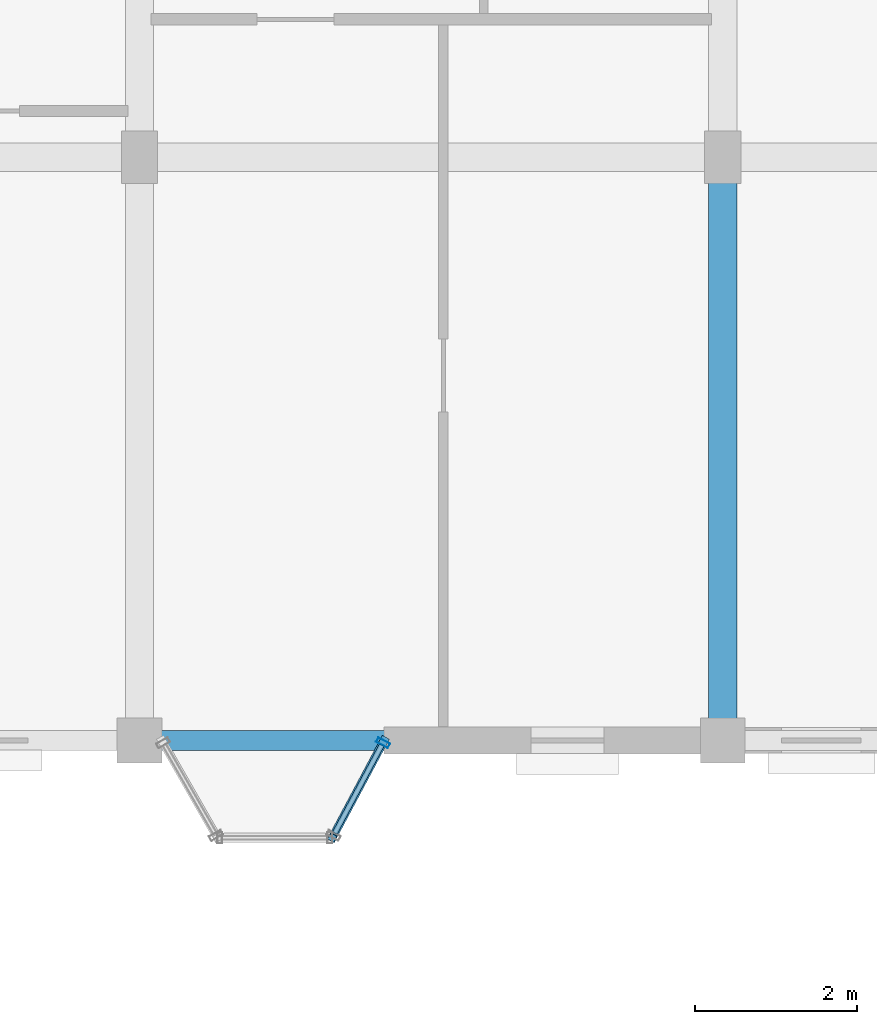
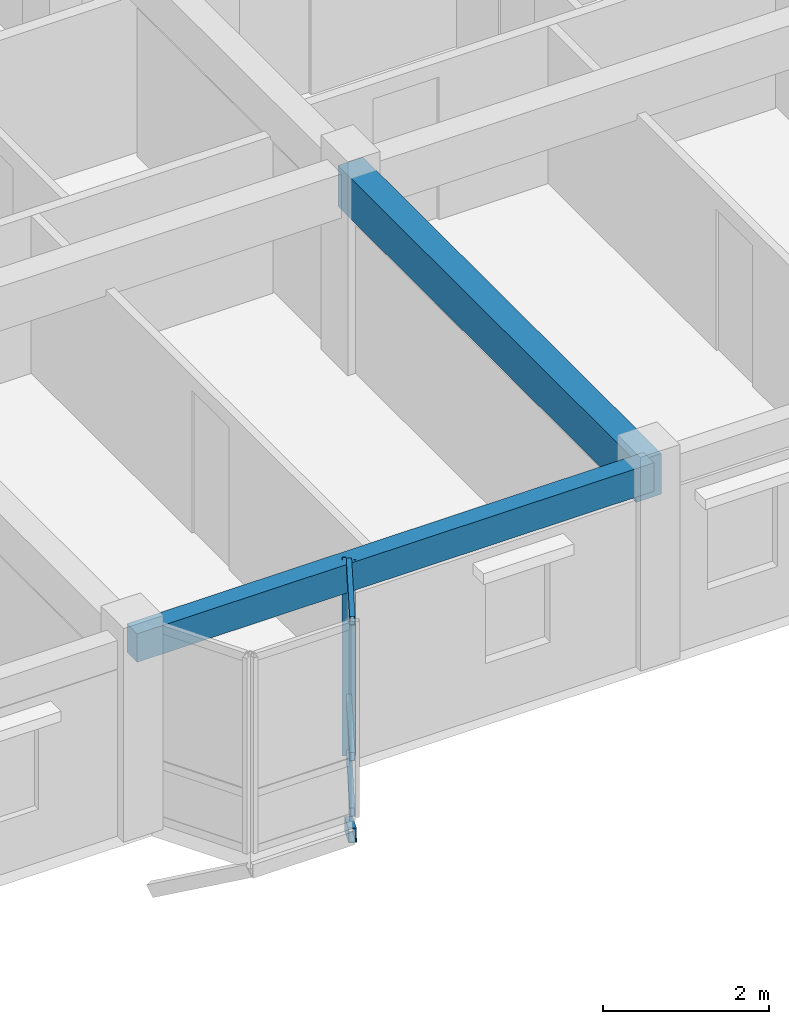
# One storey, part 39 of 79: 5 members, 2 beams, 1 element without a shape of its own.
"""IFC4 building model written with IfcOpenShell, lengths in metres."""

from ifc_helpers import new_model, si_unit, direction, frame, origin, origin_2d, place, context, subcontext, project, spatial, rectangle, hollow_rectangle, extrude, material, layer, layer_set, material_profile, profile_set, type_object, element, aggregate, save


model = new_model("IFC4")

# Units and contexts
model_context = context("Model", 3, precision=1e-05, world=origin(), true_north=direction((0.0, 1.0)))
body_context = subcontext(model_context, "Body", "Model", "MODEL_VIEW")
ifc_project = project(units=[si_unit("LENGTHUNIT", "METRE"), si_unit("AREAUNIT", "SQUARE_METRE"), si_unit("VOLUMEUNIT", "CUBIC_METRE"), si_unit("PLANEANGLEUNIT", "RADIAN"), si_unit("MASSUNIT", "GRAM", prefix="KILO"), si_unit("THERMODYNAMICTEMPERATUREUNIT", "KELVIN"), si_unit("POWERUNIT", "WATT")], contexts=[model_context])

# Site, building, storey
site_placement = place(None, origin())
site = spatial("IfcSite", under=ifc_project, at=site_placement, CompositionType="ELEMENT")
building_placement = place(site_placement, origin())
building = spatial("IfcBuilding", under=site, at=building_placement, Name="Tavuni Mirador Residences", CompositionType="ELEMENT")
storey_placement = place(building_placement, frame((0.0, 0.0, 13.949951171875)))
storey = spatial("IfcBuildingStorey", under=building, at=storey_placement, Name="L04", CompositionType="ELEMENT", Elevation=13.949951171875)

# Beams
ifc_material_1 = material(Name="Precast concrete C40/50", Category="concrete")
ifc_material_profile_1 = material_profile(ifc_material_1, rectangle(XDim=0.35009765625, YDim=0.60009765625, at=origin_2d()), Name="PC 350x600", Category="concrete")
ifc_profile_set_1 = profile_set([ifc_material_profile_1], Name="Precast concrete C40/50")
beam_type_1 = type_object("IfcBeamType", Name="BT-B600", PredefinedType="BEAM", material=ifc_profile_set_1)
beam_1_placement = place(storey_placement, frame((39.60009765625, 144.0, 2.5849609375), z_axis=(0.0, 1.0, 0.0), x_axis=(-1.0, 0.0, 0.0)))
element("IfcBeam", 1, at=beam_1_placement, inside=storey, type_object=beam_type_1, Name="BMY-BLK-C-L04-04-00", PredefinedType="BEAM", context=body_context, shape_type="SweptSolid", body=[
    extrude(rectangle(XDim=0.35009765625, YDim=0.60009765625, at=origin_2d()), origin(), (0.0, 0.0, 1.0), 7.199951171875),
])
ifc_material_profile_2 = material_profile(ifc_material_1, rectangle(XDim=0.25, YDim=0.419921875, at=origin_2d()), Name="PC 250x420", Category="concrete")
ifc_profile_set_2 = profile_set([ifc_material_profile_2], Name="Precast concrete C40/50")
beam_type_2 = type_object("IfcBeamType", Name="BT-SP420", PredefinedType="SPANDREL", material=ifc_profile_set_2)
beam_2_placement = place(storey_placement, frame((32.39990234375, 144.0, 2.675048828125), z_axis=(1.0, 0.0, 0.0), x_axis=(0.0, 1.0, 0.0)))
element("IfcBeam", 2, at=beam_2_placement, inside=storey, type_object=beam_type_2, Name="BMX-BLK-C-L04-03-00", PredefinedType="SPANDREL", context=body_context, shape_type="SweptSolid", body=[
    extrude(rectangle(XDim=0.25, YDim=0.419921875, at=origin_2d()), origin(), (0.0, 0.0, 1.0), 7.2001953125),
])

# Curtain wall, members
ifc_material_2 = material(Name="Anodised aluminium", Category="aluminium")
ifc_layer = layer(ifc_material_2, 0.159912109375, Name="Anodised aluminium", Category="aluminium")
ifc_layer_set = layer_set([ifc_layer], Name="Anodised aluminium")
curtain_wall_type = type_object("IfcCurtainWallType", Name="CWT-MIR-D", PredefinedType="NOTDEFINED", material=ifc_layer_set)
curtain_wall_placement = place(storey_placement, origin())
curtain_wall = element("IfcCurtainWall", 3, at=curtain_wall_placement, inside=storey, type_object=curtain_wall_type, Name="CW-MIR-C-S2-L04-M2", PredefinedType="NOTDEFINED")
ifc_material_profile_3 = material_profile(ifc_material_2, hollow_rectangle(XDim=0.06494140625, YDim=0.1650390625, WallThickness=0.00439453125, at=origin_2d()), Name="ALU 65x165x4.5", Category="aluminium")
ifc_profile_set_3 = profile_set([ifc_material_profile_3], Name="Anodised aluminium")
member_type_1 = type_object("IfcMemberType", Name="CWM-165", PredefinedType="MULLION", material=ifc_profile_set_3)
member_1_placement = place(storey_placement, frame((35.40478515625, 143.971435546875, 0.0), z_axis=(0.0, 0.0, 1.0), x_axis=(0.470588235296, 0.882352941175, 0.0)))
member_1 = element("IfcMember", 4, at=member_1_placement, type_object=member_type_1, Name="CW-04 mullion 2", PredefinedType="MULLION", context=body_context, shape_type="SweptSolid", body=[
    extrude(hollow_rectangle(XDim=0.06494140625, YDim=0.1650390625, WallThickness=0.00439453125, at=origin_2d()), origin(), (0.0, 0.0, 1.0), 2.885009765625),
])
ifc_material_profile_4 = material_profile(ifc_material_2, hollow_rectangle(XDim=0.06494140625, YDim=0.125, WallThickness=0.00439453125, at=origin_2d()), Name="ALU 65x125x4.5", Category="aluminium")
ifc_profile_set_4 = profile_set([ifc_material_profile_4], Name="Anodised aluminium")
member_type_2 = type_object("IfcMemberType", Name="CWT-125", PredefinedType="USERDEFINED", material=ifc_profile_set_4)
member_2_placement = place(storey_placement, frame((34.810546875, 142.857421875, 0.032470703125), z_axis=(0.470639747922, 0.882325465843, 0.0), x_axis=(-0.882325465843, 0.470639747922, 0.0)))
member_2 = element("IfcMember", 5, at=member_2_placement, type_object=member_type_2, Name="CW-04 transom 1.1", ObjectType="TRANSOM", PredefinedType="USERDEFINED", context=body_context, shape_type="SweptSolid", body=[
    extrude(hollow_rectangle(XDim=0.06494140625, YDim=0.125, WallThickness=0.00439453125, at=origin_2d()), origin(), (0.0, 0.0, 1.0), 1.22998046875),
])
member_3_placement = place(storey_placement, frame((34.810546875, 142.857421875, 0.85009765625), z_axis=(0.470639747922, 0.882325465843, 0.0), x_axis=(-0.882325465843, 0.470639747922, 0.0)))
member_3 = element("IfcMember", 6, at=member_3_placement, type_object=member_type_2, Name="CW-04 transom 1.2", ObjectType="TRANSOM", PredefinedType="USERDEFINED", context=body_context, shape_type="SweptSolid", body=[
    extrude(hollow_rectangle(XDim=0.06494140625, YDim=0.125, WallThickness=0.00439453125, at=origin_2d()), origin(), (0.0, 0.0, 1.0), 1.22998046875),
])
member_4_placement = place(storey_placement, frame((34.810546875, 142.857421875, 2.8525390625), z_axis=(0.470639747922, 0.882325465843, 0.0), x_axis=(-0.882325465843, 0.470639747922, 0.0)))
member_4 = element("IfcMember", 7, at=member_4_placement, type_object=member_type_2, Name="CW-04 transom 1.3", ObjectType="TRANSOM", PredefinedType="USERDEFINED", context=body_context, shape_type="SweptSolid", body=[
    extrude(hollow_rectangle(XDim=0.06494140625, YDim=0.125, WallThickness=0.00439453125, at=origin_2d()), origin(), (0.0, 0.0, 1.0), 1.22998046875),
])
aggregate(curtain_wall, [member_1, member_2, member_3, member_4])

# Member
ifc_material_3 = material(Name="Structural steel S355", Category="steel")
ifc_material_profile_5 = material_profile(ifc_material_3, hollow_rectangle(XDim=0.10009765625, YDim=0.179931640625, WallThickness=0.008056640625, at=origin_2d()), Name="RHS 180x100x8.0", Category="steel")
ifc_profile_set_5 = profile_set([ifc_material_profile_5], Name="Structural steel S355")
member_type_3 = type_object("IfcMemberType", Name="MT-BR-RHS180", PredefinedType="BRACE", material=ifc_profile_set_5)
member_5_placement = place(storey_placement, frame((35.419921875, 144.0, -1.050048828125), z_axis=(-0.407499208462, -0.764158187558, 0.500006659448), x_axis=(0.882377788047, -0.47054164445, 0.0)))
element("IfcMember", 8, at=member_5_placement, inside=storey, type_object=member_type_3, Name="MBRK-MIR-C-S2-L04-2", PredefinedType="BRACE", context=body_context, shape_type="SweptSolid", body=[
    extrude(hollow_rectangle(XDim=0.10009765625, YDim=0.179931640625, WallThickness=0.008056640625, at=origin_2d()), origin(), (0.0, 0.0, 1.0), 1.5703125),
])

save(model, "model.ifc")
